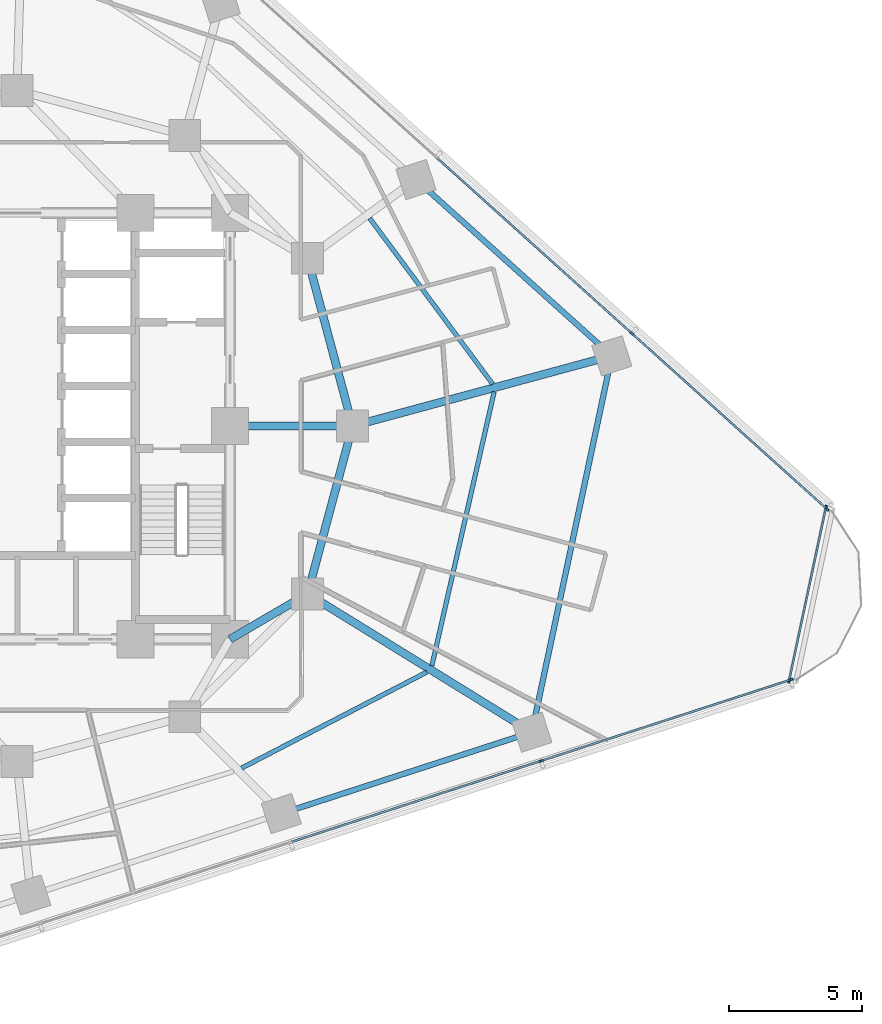
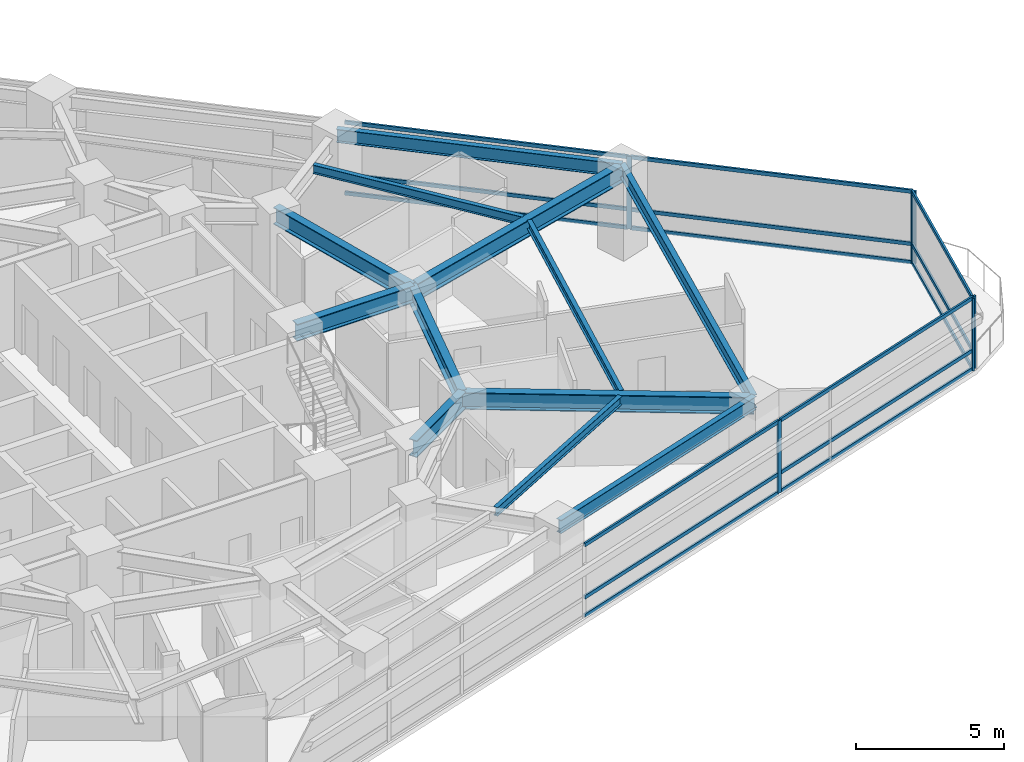
# One storey, part 4 of 14: 21 members, 12 beams, 3 elements without a shape of their own.
"""IFC4 building model written with IfcOpenShell, lengths in metres."""

from ifc_helpers import new_model, si_unit, direction, frame, origin, origin_2d, place, context, subcontext, project, spatial, rectangle, i_section, extrude, material, layer, layer_set, material_profile, profile_set, type_object, element, aggregate, save


model = new_model("IFC4")

# Units and contexts
model_context = context("Model", 3, precision=1e-05, world=origin(), true_north=direction((0.0, 1.0)))
body_context = subcontext(model_context, "Body", "Model", "MODEL_VIEW")
ifc_project = project(units=[si_unit("LENGTHUNIT", "METRE"), si_unit("AREAUNIT", "SQUARE_METRE"), si_unit("VOLUMEUNIT", "CUBIC_METRE"), si_unit("PLANEANGLEUNIT", "RADIAN"), si_unit("MASSUNIT", "GRAM", prefix="KILO")], contexts=[model_context])

# Site, building, storey
site_placement = place(None, origin())
site = spatial("IfcSite", under=ifc_project, at=site_placement, CompositionType="ELEMENT")
building_placement = place(site_placement, origin())
building = spatial("IfcBuilding", under=site, at=building_placement, Name="Terralouvre Media Tower", CompositionType="ELEMENT")
storey_placement = place(building_placement, frame((0.0, 0.0, 112.5)))
storey = spatial("IfcBuildingStorey", under=building, at=storey_placement, Name="L28", CompositionType="ELEMENT", Elevation=112.5)

# Beams
ifc_material_1 = material(Name="Structural steel S355J2", Category="steel")
ifc_material_profile_1 = material_profile(ifc_material_1, i_section(OverallWidth=0.169921875, OverallDepth=0.360107421875, WebThickness=0.008056640625, FlangeThickness=0.0126953125, at=origin_2d()), Name="IPE 360")
ifc_profile_set_1 = profile_set([ifc_material_profile_1], Name="Structural steel S355J2")
beam_type_1 = type_object("IfcBeamType", Name="Composite Floor Joist J-IPE360 (IPE 360)", PredefinedType="JOIST", material=ifc_profile_set_1)
beam_1_placement = place(storey_placement, frame((8.431640625, -12.83984375, 3.320068359375), z_axis=(0.88785826519, 0.460117051339, 0.0), x_axis=(-0.460117051339, 0.88785826519, 0.0)))
element("IfcBeam", 1, at=beam_1_placement, inside=storey, type_object=beam_type_1, Name="L28 Framing Beam JT-L28-05", PredefinedType="JOIST", context=body_context, shape_type="SweptSolid", body=[
    extrude(i_section(OverallWidth=0.169921875, OverallDepth=0.360107421875, WebThickness=0.008056640625, FlangeThickness=0.0126953125, at=origin_2d()), origin(), (0.0, 0.0, 1.0), 7.8349609375),
])
beam_2_placement = place(storey_placement, frame((15.576171875, -9.002685546875, 3.320068359375), z_axis=(0.221710109681, 0.975112622862, 0.0), x_axis=(-0.975112622862, 0.221710109681, 0.0)))
element("IfcBeam", 2, at=beam_2_placement, inside=storey, type_object=beam_type_1, Name="L28 Framing Beam JT-L28-06", PredefinedType="JOIST", context=body_context, shape_type="SweptSolid", body=[
    extrude(i_section(OverallWidth=0.169921875, OverallDepth=0.360107421875, WebThickness=0.008056640625, FlangeThickness=0.0126953125, at=origin_2d()), origin(), (0.0, 0.0, 1.0), 10.551513671875),
])
beam_3_placement = place(storey_placement, frame((17.85791015625, 1.57763671875, 3.320068359375), z_axis=(-0.595682426609, 0.803220048697, 0.0), x_axis=(-0.803220048697, -0.595682426609, 0.0)))
element("IfcBeam", 3, at=beam_3_placement, inside=storey, type_object=beam_type_1, Name="L28 Framing Beam JT-L28-07", PredefinedType="JOIST", context=body_context, shape_type="SweptSolid", body=[
    extrude(i_section(OverallWidth=0.169921875, OverallDepth=0.360107421875, WebThickness=0.008056640625, FlangeThickness=0.0126953125, at=origin_2d()), origin(), (0.0, 0.0, 1.0), 7.7509765625),
])

# Curtain wall, members
ifc_material_2 = material(Name="Low-iron laminated double glazing with solar-control coating", Category="glass")
ifc_layer_1 = layer(ifc_material_2, 0.1650390625, Name="Lower Media Tower Unitised Curtain Wall CW-02")
ifc_layer_set_1 = layer_set([ifc_layer_1], Name="Low-iron laminated double glazing with solar-control coating")
curtain_wall_type_1 = type_object("IfcCurtainWallType", Name="Lower Media Tower Unitised Curtain Wall CW-02", PredefinedType="NOTDEFINED", material=ifc_layer_set_1)
curtain_wall_1_placement = place(storey_placement, origin())
curtain_wall_1 = element("IfcCurtainWall", 4, at=curtain_wall_1_placement, inside=storey, type_object=curtain_wall_type_1, Name="L28 Facade Curtain Wall F0", PredefinedType="NOTDEFINED")
ifc_material_3 = material(Name="Anodised extruded aluminium 6063-T6", Category="aluminium")
ifc_material_profile_2 = material_profile(ifc_material_3, rectangle(XDim=0.074951171875, YDim=0.14990234375, at=origin_2d()), Name="ALU 75x150")
ifc_profile_set_2 = profile_set([ifc_material_profile_2], Name="Anodised extruded aluminium 6063-T6")
member_type_1 = type_object("IfcMemberType", Name="Curtain-Wall Horizontal Transom TR-150", PredefinedType="USERDEFINED", material=ifc_profile_set_2)
member_1_placement = place(storey_placement, frame((10.309814453125, -15.610107421875, 0.03759765625), z_axis=(0.951061672682, 0.309001124198, 0.0), x_axis=(-0.309001124198, 0.951061672682, 0.0)))
member_1 = element("IfcMember", 5, at=member_1_placement, type_object=member_type_1, Name="CW-02 transom 4.1", ObjectType="TRANSOM", PredefinedType="USERDEFINED", context=body_context, shape_type="SweptSolid", body=[
    extrude(rectangle(XDim=0.074951171875, YDim=0.14990234375, at=origin_2d()), origin(), (0.0, 0.0, 1.0), 9.81298828125),
])
member_2_placement = place(storey_placement, frame((10.309814453125, -15.610107421875, 0.800048828125), z_axis=(0.951061672682, 0.309001124198, 0.0), x_axis=(-0.309001124198, 0.951061672682, 0.0)))
member_2 = element("IfcMember", 6, at=member_2_placement, type_object=member_type_1, Name="CW-02 transom 4.2", ObjectType="TRANSOM", PredefinedType="USERDEFINED", context=body_context, shape_type="SweptSolid", body=[
    extrude(rectangle(XDim=0.074951171875, YDim=0.14990234375, at=origin_2d()), origin(), (0.0, 0.0, 1.0), 9.81298828125),
])
member_3_placement = place(storey_placement, frame((10.309814453125, -15.610107421875, 2.96240234375), z_axis=(0.951061672682, 0.309001124198, 0.0), x_axis=(-0.309001124198, 0.951061672682, 0.0)))
member_3 = element("IfcMember", 7, at=member_3_placement, type_object=member_type_1, Name="CW-02 transom 4.3", ObjectType="TRANSOM", PredefinedType="USERDEFINED", context=body_context, shape_type="SweptSolid", body=[
    extrude(rectangle(XDim=0.074951171875, YDim=0.14990234375, at=origin_2d()), origin(), (0.0, 0.0, 1.0), 9.81298828125),
])
member_4_placement = place(storey_placement, frame((19.7138671875, -12.5546875, 0.03759765625), z_axis=(0.951058475667, 0.309010963983, 0.0), x_axis=(-0.309010963983, 0.951058475667, 0.0)))
member_4 = element("IfcMember", 8, at=member_4_placement, type_object=member_type_1, Name="CW-02 transom 5.1", ObjectType="TRANSOM", PredefinedType="USERDEFINED", context=body_context, shape_type="SweptSolid", body=[
    extrude(rectangle(XDim=0.074951171875, YDim=0.14990234375, at=origin_2d()), origin(), (0.0, 0.0, 1.0), 9.775634765625),
])
member_5_placement = place(storey_placement, frame((19.7138671875, -12.5546875, 0.800048828125), z_axis=(0.951058475667, 0.309010963983, 0.0), x_axis=(-0.309010963983, 0.951058475667, 0.0)))
member_5 = element("IfcMember", 9, at=member_5_placement, type_object=member_type_1, Name="CW-02 transom 5.2", ObjectType="TRANSOM", PredefinedType="USERDEFINED", context=body_context, shape_type="SweptSolid", body=[
    extrude(rectangle(XDim=0.074951171875, YDim=0.14990234375, at=origin_2d()), origin(), (0.0, 0.0, 1.0), 9.775634765625),
])
member_6_placement = place(storey_placement, frame((19.7138671875, -12.5546875, 2.96240234375), z_axis=(0.951058475667, 0.309010963983, 0.0), x_axis=(-0.309010963983, 0.951058475667, 0.0)))
member_6 = element("IfcMember", 10, at=member_6_placement, type_object=member_type_1, Name="CW-02 transom 5.3", ObjectType="TRANSOM", PredefinedType="USERDEFINED", context=body_context, shape_type="SweptSolid", body=[
    extrude(rectangle(XDim=0.074951171875, YDim=0.14990234375, at=origin_2d()), origin(), (0.0, 0.0, 1.0), 9.775634765625),
])

curtain_wall_2_placement = place(storey_placement, origin())
curtain_wall_2 = element("IfcCurtainWall", 11, at=curtain_wall_2_placement, inside=storey, type_object=curtain_wall_type_1, Name="L28 Facade Curtain Wall F1", PredefinedType="NOTDEFINED")
member_7_placement = place(storey_placement, frame((30.380615234375, -3.09033203125, 0.03759765625), z_axis=(-0.743137656594, 0.669138568125, 0.0), x_axis=(-0.669138568125, -0.743137656594, 0.0)))
member_7 = element("IfcMember", 12, at=member_7_placement, type_object=member_type_1, Name="CW-02 transom 1.1", ObjectType="TRANSOM", PredefinedType="USERDEFINED", context=body_context, shape_type="SweptSolid", body=[
    extrude(rectangle(XDim=0.074951171875, YDim=0.14990234375, at=origin_2d()), origin(), (0.0, 0.0, 1.0), 9.775634765625),
])
member_8_placement = place(storey_placement, frame((30.380615234375, -3.09033203125, 0.800048828125), z_axis=(-0.743137656594, 0.669138568125, 0.0), x_axis=(-0.669138568125, -0.743137656594, 0.0)))
member_8 = element("IfcMember", 13, at=member_8_placement, type_object=member_type_1, Name="CW-02 transom 1.2", ObjectType="TRANSOM", PredefinedType="USERDEFINED", context=body_context, shape_type="SweptSolid", body=[
    extrude(rectangle(XDim=0.074951171875, YDim=0.14990234375, at=origin_2d()), origin(), (0.0, 0.0, 1.0), 9.775634765625),
])
member_9_placement = place(storey_placement, frame((30.380615234375, -3.09033203125, 2.96240234375), z_axis=(-0.743137656594, 0.669138568125, 0.0), x_axis=(-0.669138568125, -0.743137656594, 0.0)))
member_9 = element("IfcMember", 14, at=member_9_placement, type_object=member_type_1, Name="CW-02 transom 1.3", ObjectType="TRANSOM", PredefinedType="USERDEFINED", context=body_context, shape_type="SweptSolid", body=[
    extrude(rectangle(XDim=0.074951171875, YDim=0.14990234375, at=origin_2d()), origin(), (0.0, 0.0, 1.0), 9.775634765625),
])
member_10_placement = place(storey_placement, frame((23.060302734375, 3.5009765625, 0.03759765625), z_axis=(-0.743145676677, 0.669129661005, 0.0), x_axis=(-0.669129661005, -0.743145676677, 0.0)))
member_10 = element("IfcMember", 15, at=member_10_placement, type_object=member_type_1, Name="CW-02 transom 2.1", ObjectType="TRANSOM", PredefinedType="USERDEFINED", context=body_context, shape_type="SweptSolid", body=[
    extrude(rectangle(XDim=0.074951171875, YDim=0.14990234375, at=origin_2d()), origin(), (0.0, 0.0, 1.0), 9.81298828125),
])
member_11_placement = place(storey_placement, frame((23.060302734375, 3.5009765625, 0.800048828125), z_axis=(-0.743145676677, 0.669129661005, 0.0), x_axis=(-0.669129661005, -0.743145676677, 0.0)))
member_11 = element("IfcMember", 16, at=member_11_placement, type_object=member_type_1, Name="CW-02 transom 2.2", ObjectType="TRANSOM", PredefinedType="USERDEFINED", context=body_context, shape_type="SweptSolid", body=[
    extrude(rectangle(XDim=0.074951171875, YDim=0.14990234375, at=origin_2d()), origin(), (0.0, 0.0, 1.0), 9.81298828125),
])
member_12_placement = place(storey_placement, frame((23.060302734375, 3.5009765625, 2.96240234375), z_axis=(-0.743145676677, 0.669129661005, 0.0), x_axis=(-0.669129661005, -0.743145676677, 0.0)))
member_12 = element("IfcMember", 17, at=member_12_placement, type_object=member_type_1, Name="CW-02 transom 2.3", ObjectType="TRANSOM", PredefinedType="USERDEFINED", context=body_context, shape_type="SweptSolid", body=[
    extrude(rectangle(XDim=0.074951171875, YDim=0.14990234375, at=origin_2d()), origin(), (0.0, 0.0, 1.0), 9.81298828125),
])

ifc_material_4 = material(Name="Low-iron laminated double glazing with solar-control coating", Category="glass")
ifc_layer_2 = layer(ifc_material_4, 0.1650390625, Name="Rounded Wind-Corner Curved Glazing CW-04")
ifc_layer_set_2 = layer_set([ifc_layer_2], Name="Low-iron laminated double glazing with solar-control coating")
curtain_wall_type_2 = type_object("IfcCurtainWallType", Name="Rounded Wind-Corner Curved Glazing CW-04", PredefinedType="NOTDEFINED", material=ifc_layer_set_2)
curtain_wall_3_placement = place(storey_placement, origin())
curtain_wall_3 = element("IfcCurtainWall", 18, at=curtain_wall_3_placement, inside=storey, type_object=curtain_wall_type_2, Name="L28 Rounded Wind-Corner Curtain Wall C1", PredefinedType="NOTDEFINED")
member_13_placement = place(storey_placement, frame((28.998046875, -9.522216796875, 0.03759765625), z_axis=(0.207899641228, 0.978150161876, 0.0), x_axis=(-0.978150161876, 0.207899641228, 0.0)))
member_13 = element("IfcMember", 19, at=member_13_placement, type_object=member_type_1, Name="CW-04 transom 1.1", ObjectType="TRANSOM", PredefinedType="USERDEFINED", context=body_context, shape_type="SweptSolid", body=[
    extrude(rectangle(XDim=0.074951171875, YDim=0.14990234375, at=origin_2d()), origin(), (0.0, 0.0, 1.0), 6.5703125),
])
member_14_placement = place(storey_placement, frame((28.998046875, -9.522216796875, 0.800048828125), z_axis=(0.207899641228, 0.978150161876, 0.0), x_axis=(-0.978150161876, 0.207899641228, 0.0)))
member_14 = element("IfcMember", 20, at=member_14_placement, type_object=member_type_1, Name="CW-04 transom 1.2", ObjectType="TRANSOM", PredefinedType="USERDEFINED", context=body_context, shape_type="SweptSolid", body=[
    extrude(rectangle(XDim=0.074951171875, YDim=0.14990234375, at=origin_2d()), origin(), (0.0, 0.0, 1.0), 6.5703125),
])
member_15_placement = place(storey_placement, frame((28.998046875, -9.522216796875, 2.96240234375), z_axis=(0.207899641228, 0.978150161876, 0.0), x_axis=(-0.978150161876, 0.207899641228, 0.0)))
member_15 = element("IfcMember", 21, at=member_15_placement, type_object=member_type_1, Name="CW-04 transom 1.3", ObjectType="TRANSOM", PredefinedType="USERDEFINED", context=body_context, shape_type="SweptSolid", body=[
    extrude(rectangle(XDim=0.074951171875, YDim=0.14990234375, at=origin_2d()), origin(), (0.0, 0.0, 1.0), 6.5703125),
])

# Member
ifc_material_5 = material(Name="Anodised extruded aluminium 6063-T6", Category="aluminium")
ifc_material_profile_3 = material_profile(ifc_material_5, rectangle(XDim=0.074951171875, YDim=0.179931640625, at=origin_2d()), Name="ALU 75x180")
ifc_profile_set_3 = profile_set([ifc_material_profile_3], Name="Anodised extruded aluminium 6063-T6")
member_type_2 = type_object("IfcMemberType", Name="Curtain-Wall Vertical Mullion ML-180", PredefinedType="MULLION", material=ifc_profile_set_3)
member_16_placement = place(storey_placement, frame((19.67822265625, -12.566162109375, 0.0), z_axis=(0.0, 0.0, 1.0), x_axis=(-0.309017015439, 0.951056509451, 0.0)))
member_16 = element("IfcMember", 22, at=member_16_placement, type_object=member_type_2, Name="CW-02 mullion 5", PredefinedType="MULLION", context=body_context, shape_type="SweptSolid", body=[
    extrude(rectangle(XDim=0.074951171875, YDim=0.179931640625, at=origin_2d()), origin(), (0.0, 0.0, 1.0), 3.0),
])

member_17_placement = place(storey_placement, frame((29.046630859375, -9.522216796875, 0.0), z_axis=(0.0, 0.0, 1.0), x_axis=(-0.309017015439, 0.951056509451, 0.0)))
member_17 = element("IfcMember", 23, at=member_17_placement, type_object=member_type_2, Name="CW-02 mullion 6", PredefinedType="MULLION", context=body_context, shape_type="SweptSolid", body=[
    extrude(rectangle(XDim=0.074951171875, YDim=0.179931640625, at=origin_2d()), origin(), (0.0, 0.0, 1.0), 3.0),
])

aggregate(curtain_wall_1, [member_16, member_17, member_1, member_2, member_3, member_4, member_5, member_6])

member_18_placement = place(storey_placement, frame((30.408447265625, -3.115478515625, 0.0), z_axis=(0.0, 0.0, 1.0), x_axis=(-0.669130639602, -0.743144795545, 0.0)))
member_18 = element("IfcMember", 24, at=member_18_placement, type_object=member_type_2, Name="CW-02 mullion 1", PredefinedType="MULLION", context=body_context, shape_type="SweptSolid", body=[
    extrude(rectangle(XDim=0.074951171875, YDim=0.179931640625, at=origin_2d()), origin(), (0.0, 0.0, 1.0), 3.0),
])

member_19_placement = place(storey_placement, frame((23.088134765625, 3.475830078125, 0.0), z_axis=(0.0, 0.0, 1.0), x_axis=(-0.669130639602, -0.743144795545, 0.0)))
member_19 = element("IfcMember", 25, at=member_19_placement, type_object=member_type_2, Name="CW-02 mullion 2", PredefinedType="MULLION", context=body_context, shape_type="SweptSolid", body=[
    extrude(rectangle(XDim=0.074951171875, YDim=0.179931640625, at=origin_2d()), origin(), (0.0, 0.0, 1.0), 3.0),
])

aggregate(curtain_wall_2, [member_18, member_19, member_7, member_8, member_9, member_10, member_11, member_12])

member_20_placement = place(storey_placement, frame((28.990234375, -9.55908203125, 0.0), z_axis=(0.0, 0.0, 1.0), x_axis=(-0.978147617626, 0.207911611348, 0.0)))
member_20 = element("IfcMember", 26, at=member_20_placement, type_object=member_type_2, Name="CW-04 mullion 1", PredefinedType="MULLION", context=body_context, shape_type="SweptSolid", body=[
    extrude(rectangle(XDim=0.074951171875, YDim=0.179931640625, at=origin_2d()), origin(), (0.0, 0.0, 1.0), 3.0),
])

member_21_placement = place(storey_placement, frame((30.371826171875, -3.058837890625, 0.0), z_axis=(0.0, 0.0, 1.0), x_axis=(-0.978147617626, 0.207911611348, 0.0)))
member_21 = element("IfcMember", 27, at=member_21_placement, type_object=member_type_2, Name="CW-04 mullion 2", PredefinedType="MULLION", context=body_context, shape_type="SweptSolid", body=[
    extrude(rectangle(XDim=0.074951171875, YDim=0.179931640625, at=origin_2d()), origin(), (0.0, 0.0, 1.0), 3.0),
])

aggregate(curtain_wall_3, [member_20, member_21, member_13, member_14, member_15])

# Beams
ifc_material_6 = material(Name="Structural steel S355J2", Category="steel")
ifc_material_profile_4 = material_profile(ifc_material_6, i_section(OverallWidth=0.2099609375, OverallDepth=0.550048828125, WebThickness=0.010986328125, FlangeThickness=0.01708984375, at=origin_2d()), Name="IPE 550")
ifc_profile_set_4 = profile_set([ifc_material_profile_4], Name="Structural steel S355J2")
beam_type_2 = type_object("IfcBeamType", Name="Perimeter Spandrel Beam SPB-550 (IPE 550)", PredefinedType="SPANDREL", material=ifc_profile_set_4)
beam_4_placement = place(storey_placement, frame((9.925048828125, -14.547119140625, 3.22509765625), z_axis=(0.95105348149, 0.309026334389, 0.0), x_axis=(-0.309026334389, 0.95105348149, 0.0)))
element("IfcBeam", 28, at=beam_4_placement, inside=storey, type_object=beam_type_2, Name="L28 Framing Beam BM-L28-PR05", PredefinedType="SPANDREL", context=body_context, shape_type="SweptSolid", body=[
    extrude(i_section(OverallWidth=0.2099609375, OverallDepth=0.550048828125, WebThickness=0.010986328125, FlangeThickness=0.01708984375, at=origin_2d()), origin(), (0.0, 0.0, 1.0), 9.887939453125),
])
beam_5_placement = place(storey_placement, frame((19.3291015625, -11.491455078125, 3.22509765625), z_axis=(0.207911520129, 0.978147637015, 0.0), x_axis=(-0.978147637015, 0.207911520129, 0.0)))
element("IfcBeam", 29, at=beam_5_placement, inside=storey, type_object=beam_type_2, Name="L28 Framing Beam BM-L28-PR06", PredefinedType="SPANDREL", context=body_context, shape_type="SweptSolid", body=[
    extrude(i_section(OverallWidth=0.2099609375, OverallDepth=0.550048828125, WebThickness=0.010986328125, FlangeThickness=0.01708984375, at=origin_2d()), origin(), (0.0, 0.0, 1.0), 14.443359375),
])
beam_6_placement = place(storey_placement, frame((22.33203125, 2.63623046875, 3.22509765625), z_axis=(-0.743149256852, 0.669125684786, 0.0), x_axis=(-0.669125684786, -0.743149256852, 0.0)))
element("IfcBeam", 30, at=beam_6_placement, inside=storey, type_object=beam_type_2, Name="L28 Framing Beam BM-L28-PR07", PredefinedType="SPANDREL", context=body_context, shape_type="SweptSolid", body=[
    extrude(i_section(OverallWidth=0.2099609375, OverallDepth=0.550048828125, WebThickness=0.010986328125, FlangeThickness=0.01708984375, at=origin_2d()), origin(), (0.0, 0.0, 1.0), 9.887939453125),
])
ifc_material_7 = material(Name="Structural steel S460M", Category="steel")
ifc_material_profile_5 = material_profile(ifc_material_7, i_section(OverallWidth=0.300048828125, OverallDepth=0.699951171875, WebThickness=0.01708984375, FlangeThickness=0.031982421875, at=origin_2d()), Name="HEB 700")
ifc_profile_set_5 = profile_set([ifc_material_profile_5], Name="Structural steel S460M")
beam_type_3 = type_object("IfcBeamType", Name="Primary Floor Girder B-HEB700 (HEB 700)", PredefinedType="BEAM", material=ifc_profile_set_5)
for number, where, z_axis, x_axis, name in (
    (31, (10.911865234375, -6.300048828125, 3.14990234375), (0.258838989821, 0.965920481897, 0.0), (-0.965920481897, 0.258838989821, 0.0), "L28 Framing Beam BM-L28-MR05"),
    (32, (12.60009765625, 0.0, 3.14990234375), (-0.258838989821, 0.965920481897, 0.0), (-0.965920481897, -0.258838989821, 0.0), "L28 Framing Beam BM-L28-MR06"),
):
    element("IfcBeam", number, at=place(storey_placement, frame(where, z_axis=z_axis, x_axis=x_axis)), inside=storey, type_object=beam_type_3, Name=name, PredefinedType="BEAM", context=body_context, shape_type="SweptSolid", body=[
        extrude(i_section(OverallWidth=0.300048828125, OverallDepth=0.699951171875, WebThickness=0.01708984375, FlangeThickness=0.031982421875, at=origin_2d()), origin(), (0.0, 0.0, 1.0), 6.522216796875),
    ])
beam_7_placement = place(storey_placement, frame((8.0, -8.0, 3.14990234375), z_axis=(0.863602894532, 0.504172629717, 0.0), x_axis=(-0.504172629717, 0.863602894532, 0.0)))
element("IfcBeam", 33, at=beam_7_placement, inside=storey, type_object=beam_type_3, Name="L28 Framing Beam BM-L28-CM05", PredefinedType="BEAM", context=body_context, shape_type="SweptSolid", body=[
    extrude(i_section(OverallWidth=0.300048828125, OverallDepth=0.699951171875, WebThickness=0.01708984375, FlangeThickness=0.031982421875, at=origin_2d()), origin(), (0.0, 0.0, 1.0), 3.371826171875),
])
beam_8_placement = place(storey_placement, frame((8.0, 0.0, 3.14990234375), z_axis=(1.0, 0.0, 0.0), x_axis=(0.0, 1.0, 0.0)))
element("IfcBeam", 34, at=beam_8_placement, inside=storey, type_object=beam_type_3, Name="L28 Framing Beam BM-L28-CM06", PredefinedType="BEAM", context=body_context, shape_type="SweptSolid", body=[
    extrude(i_section(OverallWidth=0.300048828125, OverallDepth=0.699951171875, WebThickness=0.01708984375, FlangeThickness=0.031982421875, at=origin_2d()), origin(), (0.0, 0.0, 1.0), 4.60009765625),
])
beam_9_placement = place(storey_placement, frame((10.911865234375, -6.300048828125, 3.14990234375), z_axis=(0.851135757445, -0.524945637565, 0.0), x_axis=(0.524945637565, 0.851135757445, 0.0)))
element("IfcBeam", 35, at=beam_9_placement, inside=storey, type_object=beam_type_3, Name="L28 Framing Beam BM-L28-RD06", PredefinedType="BEAM", context=body_context, shape_type="SweptSolid", body=[
    extrude(i_section(OverallWidth=0.300048828125, OverallDepth=0.699951171875, WebThickness=0.01708984375, FlangeThickness=0.031982421875, at=origin_2d()), origin(), (0.0, 0.0, 1.0), 9.889404296875),
])
beam_10_placement = place(storey_placement, frame((12.60009765625, 0.0, 3.14990234375), z_axis=(0.965213896705, 0.261461533707, 0.0), x_axis=(-0.261461533707, 0.965213896705, 0.0)))
element("IfcBeam", 36, at=beam_10_placement, inside=storey, type_object=beam_type_3, Name="L28 Framing Beam BM-L28-RD07", PredefinedType="BEAM", context=body_context, shape_type="SweptSolid", body=[
    extrude(i_section(OverallWidth=0.300048828125, OverallDepth=0.699951171875, WebThickness=0.01708984375, FlangeThickness=0.031982421875, at=origin_2d()), origin(), (0.0, 0.0, 1.0), 10.082763671875),
])

save(model, "model.ifc")
